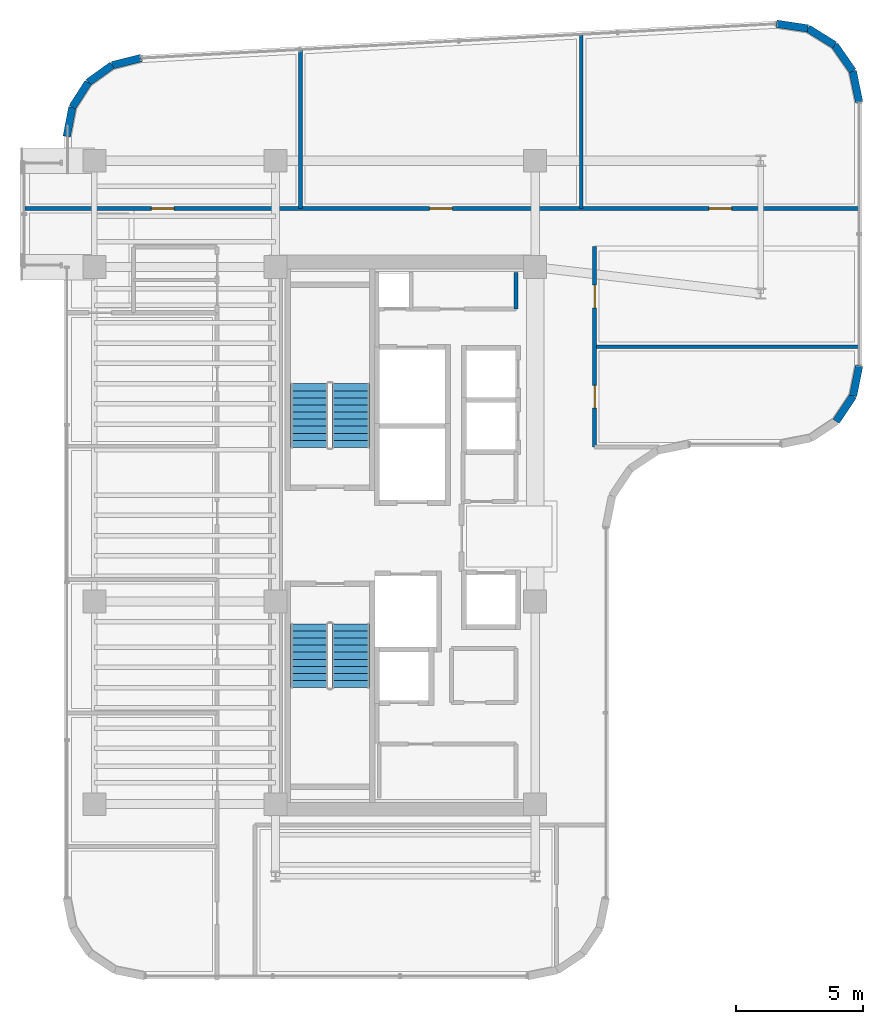
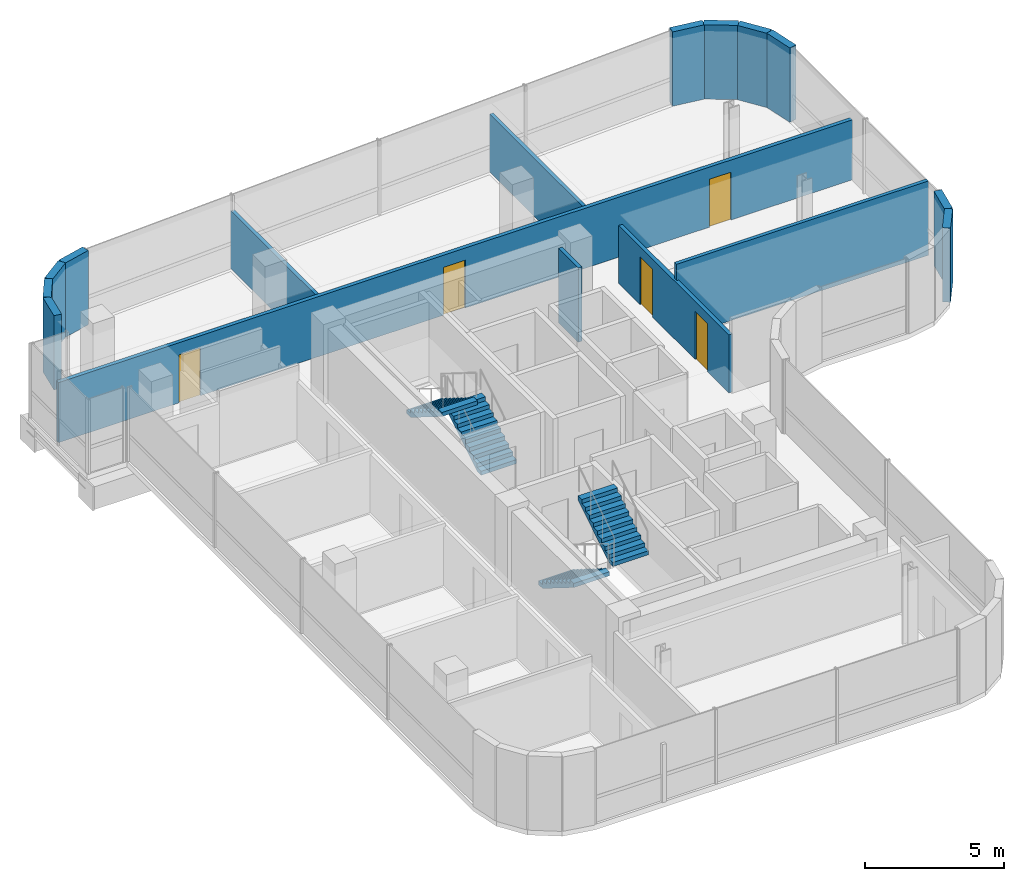
# One storey, part 19 of 21: 16 walls, 5 doors, 4 stair flights, 5 openings, 2 elements without a shape of their own.
"""IFC4 building model written with IfcOpenShell, lengths in metres."""

import ifcopenshell
import ifcopenshell.guid

model = None  # the IFC model being written
_history = None  # IfcOwnerHistory: only IFC2X3 demands one
_inside = {}  # id of a spatial element -> (the spatial element, [elements in it])
_under = {}  # id of a project, library or spatial element -> (it, [spatial elements below it])
_declared = {}  # id of a project -> (the project, [libraries it declares])
_typed = {}  # id of a type object -> (the type object, [elements of that type])
_made_of = {}  # id of a material, layer set ... -> (it, [elements and type objects made of it])


def new_model(schema):
    """Start an empty IFC model of exactly this schema.

    Asked for "IFC4X3", IfcOpenShell would pick the latest addendum, in which some entities
    have other attributes; the version numbers below select the first issue.
    IFC2X3 requires an IfcOwnerHistory on every rooted entity: one is made here for all.
    """
    global model, _history
    if schema == "IFC4X3":
        model = ifcopenshell.file(schema_version=(4, 3, 0, 0))
    else:
        model = ifcopenshell.file(schema=schema)
    _inside.clear()
    _under.clear()
    _declared.clear()
    _typed.clear()
    _made_of.clear()
    _history = None
    if model.schema == "IFC2X3":
        org = make("IfcOrganization", Name="unknown")
        user = make(
            "IfcPersonAndOrganization",
            ThePerson=make("IfcPerson", FamilyName="unknown"),
            TheOrganization=org,
        )
        app = make(
            "IfcApplication",
            ApplicationDeveloper=org,
            Version="unknown",
            ApplicationFullName="unknown",
            ApplicationIdentifier="unknown",
        )
        _history = make(
            "IfcOwnerHistory",
            OwningUser=user,
            OwningApplication=app,
            ChangeAction="ADDED",
            CreationDate=0,
        )
    return model


def make(cls, **values):
    """One entity of the class cls with the attributes given. An attribute that is None is left unset."""
    return model.create_entity(
        cls, **{name: value for name, value in values.items() if value is not None}
    )


def rooted(cls, **values):
    """An entity with a GlobalId (a new one), such as an element, a storey or a relation."""
    return make(cls, GlobalId=ifcopenshell.guid.new(), OwnerHistory=_history, **values)


def si_unit(unit_type, name, prefix=None):
    """IfcSIUnit, for example si_unit("LENGTHUNIT", "METRE", prefix="MILLI")."""
    return make("IfcSIUnit", UnitType=unit_type, Prefix=prefix, Name=name)


def assignment(units):
    """IfcUnitAssignment: the units of a project."""
    return None if units is None else make("IfcUnitAssignment", Units=units)


def point(xyz):
    """IfcCartesianPoint."""
    return None if xyz is None else make("IfcCartesianPoint", Coordinates=xyz)


def direction(xyz):
    """IfcDirection."""
    return None if xyz is None else make("IfcDirection", DirectionRatios=xyz)


def frame(location, z_axis=None, x_axis=None):
    """IfcAxis2Placement3D, a coordinate frame: its origin and axes. An axis left out is left unset."""
    return make(
        "IfcAxis2Placement3D",
        Location=point(location),
        Axis=direction(z_axis),
        RefDirection=direction(x_axis),
    )


def frame_2d(location, x_axis=None):
    """IfcAxis2Placement2D, a coordinate frame in the plane: its origin and x axis."""
    return make(
        "IfcAxis2Placement2D", Location=point(location), RefDirection=direction(x_axis)
    )


def origin():
    """The frame at (0, 0, 0) with its axes left unset."""
    return frame((0.0, 0.0, 0.0))


def place(relative_to, where):
    """IfcLocalPlacement: puts the frame where relative to a parent placement (None: the world)."""
    return make(
        "IfcLocalPlacement", PlacementRelTo=relative_to, RelativePlacement=where
    )


def context(
    kind, dimensions, precision=None, world=None, true_north=None, identifier=None
):
    """IfcGeometricRepresentationContext, for example the 3D "Model" context."""
    return make(
        "IfcGeometricRepresentationContext",
        ContextIdentifier=identifier,
        ContextType=kind,
        CoordinateSpaceDimension=dimensions,
        Precision=precision,
        WorldCoordinateSystem=world,
        TrueNorth=true_north,
    )


def subcontext(parent, identifier, kind, view, scale=None):
    """IfcGeometricRepresentationSubContext, for example "Body" below "Model"."""
    return make(
        "IfcGeometricRepresentationSubContext",
        ContextIdentifier=identifier,
        ContextType=kind,
        ParentContext=parent,
        TargetScale=scale,
        TargetView=view,
    )


def project(units=None, contexts=None):
    """IfcProject with its units and contexts."""
    return rooted(
        "IfcProject",
        Name="project",
        RepresentationContexts=contexts,
        UnitsInContext=assignment(units),
    )


def spatial(cls, under=None, at=None, **own):
    """A site, building, storey or space (cls), placed at a placement, below another one or the project."""
    s = rooted(cls, ObjectPlacement=at, **own)
    if under is not None:
        _under.setdefault(under.id(), (under, []))[1].append(s)
    return s


def polyline(points):
    """IfcPolyline through the points."""
    return make("IfcPolyline", Points=[point(p) for p in points])


def profile(cls, at=None, kind="AREA", **sizes):
    """A parametric profile (cls). Its sizes go by their IFC names, for example OverallWidth=200.0."""
    return make(cls, ProfileType=kind, Position=at, **sizes)


def rectangle(**sizes):
    """IfcRectangleProfileDef."""
    return profile("IfcRectangleProfileDef", **sizes)


def outline(outer, holes=None, kind="AREA"):
    """IfcArbitraryClosedProfileDef: a profile drawn as a closed curve; with holes, ...WithVoids."""
    if holes is None:
        return make("IfcArbitraryClosedProfileDef", ProfileType=kind, OuterCurve=outer)
    return make(
        "IfcArbitraryProfileDefWithVoids",
        ProfileType=kind,
        OuterCurve=outer,
        InnerCurves=holes,
    )


def extrude(swept, where, along, depth):
    """IfcExtrudedAreaSolid: the profile swept, set in the frame where, extruded along a direction by depth."""
    return make(
        "IfcExtrudedAreaSolid",
        SweptArea=swept,
        Position=where,
        ExtrudedDirection=direction(along),
        Depth=depth,
    )


def shape(context_of_items, identifier, shape_type, items):
    """IfcShapeRepresentation: the items that make up one representation, for example the "Body"."""
    return make(
        "IfcShapeRepresentation",
        ContextOfItems=context_of_items,
        RepresentationIdentifier=identifier,
        RepresentationType=shape_type,
        Items=items,
    )


def material(Name=None, Category=None):
    """IfcMaterial."""
    return make("IfcMaterial", Name=Name, Category=Category)


def layer(
    of_material, thickness, ventilated=None, Name=None, Category=None, Priority=None
):
    """IfcMaterialLayer: one layer of a wall or slab, of a material (None: an air gap)."""
    return make(
        "IfcMaterialLayer",
        Material=of_material,
        LayerThickness=thickness,
        IsVentilated=ventilated,
        Name=Name,
        Category=Category,
        Priority=Priority,
    )


def layer_set(layers, Name=None):
    """IfcMaterialLayerSet."""
    return make("IfcMaterialLayerSet", MaterialLayers=layers, LayerSetName=Name)


def made_of(thing, what):
    """Note that an element or type object is made of a material, layer set ...; save() writes the relation."""
    if what is not None:
        _made_of.setdefault(what.id(), (what, []))[1].append(thing)
    return thing


def type_object(cls, material=None, **own):
    """A type object (cls), such as IfcWallType, which elements share."""
    return made_of(rooted(cls, **own), material)


def element(
    cls,
    number,
    at=None,
    inside=None,
    cuts=None,
    type_object=None,
    material=None,
    context=None,
    identifier="Body",
    shape_type=None,
    held_by="IfcProductDefinitionShape",
    body=None,
    shapes=None,
    **own,
):
    """One element of the class cls, such as IfcWall. Its Tag is "e" and its number.

    at: its placement. inside: the storey or other place that contains it. cuts: it is an
    opening in that element (IfcRelVoidsElement). A single representation is given by context,
    identifier, shape_type and body (its items); several are given by shapes. held_by: the class
    of the entity that holds the representations. save() writes the other relations.
    """
    e = rooted(cls, Tag="e%d" % number, ObjectPlacement=at, **own)
    if body is not None:
        shapes = [shape(context, identifier, shape_type, body)]
    if shapes is not None:
        e.Representation = make(held_by, Representations=shapes)
    if inside is not None:
        _inside.setdefault(inside.id(), (inside, []))[1].append(e)
    if cuts is not None:
        rooted(
            "IfcRelVoidsElement", RelatingBuildingElement=cuts, RelatedOpeningElement=e
        )
    if type_object is not None:
        _typed.setdefault(type_object.id(), (type_object, []))[1].append(e)
    return made_of(e, material)


def fill(opening, filler):
    """IfcRelFillsElement: the door or window that sits in an opening."""
    return rooted(
        "IfcRelFillsElement",
        RelatingOpeningElement=opening,
        RelatedBuildingElement=filler,
    )


def aggregate(whole, parts):
    """IfcRelAggregates: a whole, such as a stair, and the parts it consists of."""
    return rooted("IfcRelAggregates", RelatingObject=whole, RelatedObjects=parts)


def save(model, path):
    """Write the relations noted so far, then the file.

    IfcRelAggregates (storeys below a building ...), IfcRelContainedInSpatialStructure (elements
    in a storey), IfcRelDefinesByType, IfcRelAssociatesMaterial and IfcRelDeclares: one each for
    every whole, place, type object, material and project.
    """
    for whole, parts in _under.values():
        aggregate(whole, parts)
    for where, things in _inside.values():
        rooted(
            "IfcRelContainedInSpatialStructure",
            RelatedElements=things,
            RelatingStructure=where,
        )
    for kind, things in _typed.values():
        rooted("IfcRelDefinesByType", RelatedObjects=things, RelatingType=kind)
    for what, things in _made_of.values():
        rooted("IfcRelAssociatesMaterial", RelatedObjects=things, RelatingMaterial=what)
    for by, libraries in _declared.values():
        rooted("IfcRelDeclares", RelatingContext=by, RelatedDefinitions=libraries)
    model.write(path)


model = new_model("IFC4")

# Units and contexts
model_context = context("Model", 3, precision=1e-05, world=origin(), true_north=direction((0.0, 1.0)))
body_context = subcontext(model_context, "Body", "Model", "MODEL_VIEW")
ifc_project = project(units=[si_unit("LENGTHUNIT", "METRE"), si_unit("AREAUNIT", "SQUARE_METRE"), si_unit("VOLUMEUNIT", "CUBIC_METRE"), si_unit("PLANEANGLEUNIT", "RADIAN"), si_unit("MASSUNIT", "GRAM", prefix="KILO")], contexts=[model_context])

# Site, building, storey
site_placement = place(None, origin())
site = spatial("IfcSite", under=ifc_project, at=site_placement, CompositionType="ELEMENT")
building_placement = place(site_placement, origin())
building = spatial("IfcBuilding", under=site, at=building_placement, Name="Valdorenza Pilgrim Sanctuary Tower", CompositionType="ELEMENT")
storey_placement = place(building_placement, frame((0.0, 0.0, 219.5)))
storey = spatial("IfcBuildingStorey", under=building, at=storey_placement, Name="L56", CompositionType="ELEMENT", Elevation=219.5)

# Wall
ifc_material_1 = material(Name="Acoustic twin-stud gypsum partition", Category="gypsum")
ifc_layer_1 = layer(ifc_material_1, 0.159912109375, Name="Acoustic twin-stud gypsum partition")
ifc_layer_set_1 = layer_set([ifc_layer_1], Name="Acoustic twin-stud gypsum partition")
wall_type_1 = type_object("IfcWallType", Name="WAL-COR-160", PredefinedType="PARTITIONING", material=ifc_layer_set_1)
wall_1_placement = place(storey_placement, frame((-13.14990234375, 8.949951171875, 0.0), z_axis=(0.0, 0.0, 1.0), x_axis=(0.0, 1.0, 0.0)))
element("IfcWall", 1, at=wall_1_placement, inside=storey, type_object=wall_type_1, Name="L56 Core A North Service East Wall", PredefinedType="PARTITIONING", context=body_context, shape_type="SweptSolid", body=[
    extrude(rectangle(XDim=1.429931640625, YDim=0.159912109375, at=frame_2d((0.71484375, 0.0))), origin(), (0.0, 0.0, 1.0), 3.260009765625),
])

# Wall, openings, doors
wall_2_placement = place(storey_placement, frame((-32.5400390625, 12.919921875, 0.0), z_axis=(0.0, 0.0, 1.0), x_axis=(1.0, 0.0, 0.0)))
wall_2 = element("IfcWall", 2, at=wall_2_placement, inside=storey, type_object=wall_type_1, Name="L56 North Corridor Wall", PredefinedType="PARTITIONING", context=body_context, shape_type="SweptSolid", body=[
    extrude(rectangle(XDim=32.929931640625, YDim=0.159912109375, at=frame_2d((16.46484375, 0.0))), origin(), (0.0, 0.0, 1.0), 2.634033203125),
])
opening_1_placement = place(wall_2_placement, frame((4.989990234375, 0.0, 0.0)))
opening_1 = element("IfcOpeningElement", 3, at=opening_1_placement, cuts=wall_2, Name="Opening DR-RM1", PredefinedType="OPENING", context=body_context, shape_type="SweptSolid", body=[
    extrude(rectangle(XDim=0.89990234375, YDim=2.10009765625, at=frame_2d((0.449951171875, 1.050048828125))), frame((0.0, 0.0947265625, 0.0), z_axis=(0.0, -1.0, 0.0), x_axis=(1.0, 0.0, 0.0)), (0.0, 0.0, 1.0), 0.189697265625),
])
opening_2_placement = place(wall_2_placement, frame((15.969970703125, 0.0, 0.0)))
opening_2 = element("IfcOpeningElement", 4, at=opening_2_placement, cuts=wall_2, Name="Opening DR-RM1", PredefinedType="OPENING", context=body_context, shape_type="SweptSolid", body=[
    extrude(rectangle(XDim=0.89990234375, YDim=2.10009765625, at=frame_2d((0.449951171875, 1.050048828125))), frame((0.0, 0.0947265625, 0.0), z_axis=(0.0, -1.0, 0.0), x_axis=(1.0, 0.0, 0.0)), (0.0, 0.0, 1.0), 0.189697265625),
])
opening_3_placement = place(wall_2_placement, frame((26.9951171875, 0.0, 0.0)))
opening_3 = element("IfcOpeningElement", 5, at=opening_3_placement, cuts=wall_2, Name="Opening DR-RM1", PredefinedType="OPENING", context=body_context, shape_type="SweptSolid", body=[
    extrude(rectangle(XDim=0.89990234375, YDim=2.10009765625, at=frame_2d((0.449951171875, 1.050048828125))), frame((0.0, 0.0947265625, 0.0), z_axis=(0.0, -1.0, 0.0), x_axis=(1.0, 0.0, 0.0)), (0.0, 0.0, 1.0), 0.189697265625),
])
ifc_material_2 = material(Name="Solid-core European oak timber", Category="wood")
door_type = type_object("IfcDoorType", Name="DR-ROOM-900", OperationType="NOTDEFINED", PredefinedType="DOOR", material=ifc_material_2)
door_1_placement = place(opening_1_placement, frame((0.89990234375, 0.0, 0.0), z_axis=(0.0, 0.0, 1.0), x_axis=(-1.0, 0.0, 0.0)))
door_1 = element("IfcDoor", 6, at=door_1_placement, inside=storey, type_object=door_type, Name="L56 Sanctuary Administration Office L56-N1 Door", OperationType="SINGLE_SWING_LEFT", OverallHeight=2.10009765625, OverallWidth=0.89990234375, PredefinedType="DOOR", context=body_context, shape_type="SweptSolid", body=[
    extrude(rectangle(XDim=0.89990234375, YDim=2.10009765625, at=frame_2d((0.449951171875, 1.050048828125))), frame((0.0, 0.02490234375, 0.0), z_axis=(0.0, -1.0, 0.0), x_axis=(1.0, 0.0, 0.0)), (0.0, 0.0, 1.0), 0.050048828125),
])
fill(opening_1, door_1)
door_2_placement = place(opening_2_placement, origin())
door_2 = element("IfcDoor", 7, at=door_2_placement, inside=storey, type_object=door_type, Name="L56 Sanctuary Administration Office L56-N2 Door", OperationType="SINGLE_SWING_RIGHT", OverallHeight=2.10009765625, OverallWidth=0.89990234375, PredefinedType="DOOR", context=body_context, shape_type="SweptSolid", body=[
    extrude(rectangle(XDim=0.89990234375, YDim=2.10009765625, at=frame_2d((0.449951171875, 1.050048828125))), frame((0.0, 0.02490234375, 0.0), z_axis=(0.0, -1.0, 0.0), x_axis=(1.0, 0.0, 0.0)), (0.0, 0.0, 1.0), 0.050048828125),
])
fill(opening_2, door_2)
door_3_placement = place(opening_3_placement, frame((0.89990234375, 0.0, 0.0), z_axis=(0.0, 0.0, 1.0), x_axis=(-1.0, 0.0, 0.0)))
door_3 = element("IfcDoor", 8, at=door_3_placement, inside=storey, type_object=door_type, Name="L56 Sanctuary Administration Office L56-N3 Door", OperationType="SINGLE_SWING_LEFT", OverallHeight=2.10009765625, OverallWidth=0.89990234375, PredefinedType="DOOR", context=body_context, shape_type="SweptSolid", body=[
    extrude(rectangle(XDim=0.89990234375, YDim=2.10009765625, at=frame_2d((0.449951171875, 1.050048828125))), frame((0.0, 0.02490234375, 0.0), z_axis=(0.0, -1.0, 0.0), x_axis=(1.0, 0.0, 0.0)), (0.0, 0.0, 1.0), 0.050048828125),
])
fill(opening_3, door_3)

wall_3_placement = place(storey_placement, frame((-10.050048828125, 3.5, 0.0), z_axis=(0.0, 0.0, 1.0), x_axis=(0.0, 1.0, 0.0)))
wall_3 = element("IfcWall", 9, at=wall_3_placement, inside=storey, type_object=wall_type_1, Name="L56 East Stub Corridor Wall", PredefinedType="PARTITIONING", context=body_context, shape_type="SweptSolid", body=[
    extrude(rectangle(XDim=7.919921875, YDim=0.159912109375, at=frame_2d((3.9599609375, 0.0))), origin(), (0.0, 0.0, 1.0), 2.5439453125),
])
opening_4_placement = place(wall_3_placement, frame((1.530029296875, 0.0, 0.0)))
opening_4 = element("IfcOpeningElement", 10, at=opening_4_placement, cuts=wall_3, Name="Opening DR-RM1", PredefinedType="OPENING", context=body_context, shape_type="SweptSolid", body=[
    extrude(rectangle(XDim=0.89990234375, YDim=2.10009765625, at=frame_2d((0.449951171875, 1.050048828125))), frame((0.0, 0.0947265625, 0.0), z_axis=(0.0, -1.0, 0.0), x_axis=(1.0, 0.0, 0.0)), (0.0, 0.0, 1.0), 0.189697265625),
])
opening_5_placement = place(wall_3_placement, frame((5.489990234375, 0.0, 0.0)))
opening_5 = element("IfcOpeningElement", 11, at=opening_5_placement, cuts=wall_3, Name="Opening DR-RM1", PredefinedType="OPENING", context=body_context, shape_type="SweptSolid", body=[
    extrude(rectangle(XDim=0.89990234375, YDim=2.10009765625, at=frame_2d((0.449951171875, 1.050048828125))), frame((0.0, 0.0947265625, 0.0), z_axis=(0.0, -1.0, 0.0), x_axis=(1.0, 0.0, 0.0)), (0.0, 0.0, 1.0), 0.189697265625),
])
door_4_placement = place(opening_4_placement, origin())
door_4 = element("IfcDoor", 12, at=door_4_placement, inside=storey, type_object=door_type, Name="L56 Pilgrim Scholar Office L56-E1 Door", OperationType="SINGLE_SWING_RIGHT", OverallHeight=2.10009765625, OverallWidth=0.89990234375, PredefinedType="DOOR", context=body_context, shape_type="SweptSolid", body=[
    extrude(rectangle(XDim=0.89990234375, YDim=2.10009765625, at=frame_2d((0.449951171875, 1.050048828125))), frame((0.0, 0.02490234375, 0.0), z_axis=(0.0, -1.0, 0.0), x_axis=(1.0, 0.0, 0.0)), (0.0, 0.0, 1.0), 0.050048828125),
])
fill(opening_4, door_4)
door_5_placement = place(opening_5_placement, frame((0.89990234375, 0.0, 0.0), z_axis=(0.0, 0.0, 1.0), x_axis=(-1.0, 0.0, 0.0)))
door_5 = element("IfcDoor", 13, at=door_5_placement, inside=storey, type_object=door_type, Name="L56 Pilgrim Scholar Office L56-E2 Door", OperationType="SINGLE_SWING_LEFT", OverallHeight=2.10009765625, OverallWidth=0.89990234375, PredefinedType="DOOR", context=body_context, shape_type="SweptSolid", body=[
    extrude(rectangle(XDim=0.89990234375, YDim=2.10009765625, at=frame_2d((0.449951171875, 1.050048828125))), frame((0.0, 0.02490234375, 0.0), z_axis=(0.0, -1.0, 0.0), x_axis=(1.0, 0.0, 0.0)), (0.0, 0.0, 1.0), 0.050048828125),
])
fill(opening_5, door_5)

# Walls
ifc_material_3 = material(Name="Honed travertine limestone", Category="masonry")
ifc_layer_2 = layer(ifc_material_3, 0.300048828125, Name="Honed travertine limestone")
ifc_layer_set_2 = layer_set([ifc_layer_2], Name="Honed travertine limestone")
wall_type_2 = type_object("IfcWallType", Name="WAL-EXT-300", PredefinedType="SOLIDWALL", material=ifc_layer_set_2)
wall_4_placement = place(storey_placement, frame((-30.889892578125, 15.757568359375, 0.0), z_axis=(0.0, 0.0, 1.0), x_axis=(0.18831542659, 0.982108598938, 0.0)))
element("IfcWall", 14, at=wall_4_placement, inside=storey, type_object=wall_type_2, Name="L56 Rounded Wind-Corner Stone Pier 2", PredefinedType="SOLIDWALL", context=body_context, shape_type="SweptSolid", body=[
    extrude(rectangle(XDim=1.174560546875, YDim=0.300048828125, at=frame_2d((0.58740234375, 0.0))), origin(), (0.0, 0.0, 1.0), 3.260009765625),
])
wall_5_placement = place(storey_placement, frame((-30.668701171875, 16.9111328125, 0.0), z_axis=(0.0, 0.0, 1.0), x_axis=(0.538678781902, 0.84251122837, 0.0)))
element("IfcWall", 15, at=wall_5_placement, inside=storey, type_object=wall_type_2, Name="L56 Rounded Wind-Corner Stone Pier 3", PredefinedType="SOLIDWALL", context=body_context, shape_type="SweptSolid", body=[
    extrude(rectangle(XDim=1.164306640625, YDim=0.300048828125, at=frame_2d((0.58203125, 0.0))), origin(), (0.0, 0.0, 1.0), 3.260009765625),
])
wall_6_placement = place(storey_placement, frame((-30.04150390625, 17.89208984375, 0.0), z_axis=(0.0, 0.0, 1.0), x_axis=(0.812313539683, 0.583220981487, 0.0)))
element("IfcWall", 16, at=wall_6_placement, inside=storey, type_object=wall_type_2, Name="L56 Rounded Wind-Corner Stone Pier 4", PredefinedType="SOLIDWALL", context=body_context, shape_type="SweptSolid", body=[
    extrude(rectangle(XDim=1.163818359375, YDim=0.300048828125, at=frame_2d((0.58203125, 0.0))), origin(), (0.0, 0.0, 1.0), 3.260009765625),
])
wall_7_placement = place(storey_placement, frame((-29.09619140625, 18.57080078125, 0.0), z_axis=(0.0, 0.0, 1.0), x_axis=(0.97050812798, 0.241068400098, 0.0)))
element("IfcWall", 17, at=wall_7_placement, inside=storey, type_object=wall_type_2, Name="L56 Rounded Wind-Corner Stone Pier 5", PredefinedType="SOLIDWALL", context=body_context, shape_type="SweptSolid", body=[
    extrude(rectangle(XDim=1.1748046875, YDim=0.300048828125, at=frame_2d((0.58740234375, 0.0))), origin(), (0.0, 0.0, 1.0), 3.260009765625),
])
wall_8_placement = place(storey_placement, frame((-2.877685546875, 20.20751953125, 0.0), z_axis=(0.0, 0.0, 1.0), x_axis=(0.988902138571, -0.148568369208, 0.0)))
element("IfcWall", 18, at=wall_8_placement, inside=storey, type_object=wall_type_2, Name="L56 Rounded Wind-Corner Stone Pier 7", PredefinedType="SOLIDWALL", context=body_context, shape_type="SweptSolid", body=[
    extrude(rectangle(XDim=1.257080078125, YDim=0.300048828125, at=frame_2d((0.62841796875, 0.0))), origin(), (0.0, 0.0, 1.0), 3.260009765625),
])
wall_9_placement = place(storey_placement, frame((-1.634521484375, 20.020751953125, 0.0), z_axis=(0.0, 0.0, 1.0), x_axis=(0.849646224094, -0.52735310171, 0.0)))
element("IfcWall", 19, at=wall_9_placement, inside=storey, type_object=wall_type_2, Name="L56 Rounded Wind-Corner Stone Pier 8", PredefinedType="SOLIDWALL", context=body_context, shape_type="SweptSolid", body=[
    extrude(rectangle(XDim=1.245361328125, YDim=0.300048828125, at=frame_2d((0.62255859375, 0.0))), origin(), (0.0, 0.0, 1.0), 3.260009765625),
])
wall_10_placement = place(storey_placement, frame((-0.576416015625, 19.364013671875, 0.0), z_axis=(0.0, 0.0, 1.0), x_axis=(0.572304219931, -0.820041389107, 0.0)))
element("IfcWall", 20, at=wall_10_placement, inside=storey, type_object=wall_type_2, Name="L56 Rounded Wind-Corner Stone Pier 9", PredefinedType="SOLIDWALL", context=body_context, shape_type="SweptSolid", body=[
    extrude(rectangle(XDim=1.24560546875, YDim=0.300048828125, at=frame_2d((0.622802734375, 0.0))), origin(), (0.0, 0.0, 1.0), 3.260009765625),
])
wall_11_placement = place(storey_placement, frame((0.136474609375, 18.342529296875, 0.0), z_axis=(0.0, 0.0, 1.0), x_axis=(0.201603599025, -0.979467196419, 0.0)))
element("IfcWall", 21, at=wall_11_placement, inside=storey, type_object=wall_type_2, Name="L56 Rounded Wind-Corner Stone Pier 10", PredefinedType="SOLIDWALL", context=body_context, shape_type="SweptSolid", body=[
    extrude(rectangle(XDim=1.257080078125, YDim=0.300048828125, at=frame_2d((0.62841796875, 0.0))), origin(), (0.0, 0.0, 1.0), 3.260009765625),
])
wall_12_placement = place(storey_placement, frame((0.389892578125, 6.710693359375, 0.0), z_axis=(0.0, 0.0, 1.0), x_axis=(-0.194996050505, -0.980804027463, 0.0)))
element("IfcWall", 22, at=wall_12_placement, inside=storey, type_object=wall_type_2, Name="L56 Rounded Wind-Corner Stone Pier 12", PredefinedType="SOLIDWALL", context=body_context, shape_type="SweptSolid", body=[
    extrude(rectangle(XDim=1.2158203125, YDim=0.300048828125, at=frame_2d((0.60791015625, 0.0))), origin(), (0.0, 0.0, 1.0), 3.260009765625),
])
wall_13_placement = place(storey_placement, frame((0.15283203125, 5.518310546875, 0.0), z_axis=(0.0, 0.0, 1.0), x_axis=(-0.555635100982, -0.831426265255, 0.0)))
element("IfcWall", 23, at=wall_13_placement, inside=storey, type_object=wall_type_2, Name="L56 Rounded Wind-Corner Stone Pier 13", PredefinedType="SOLIDWALL", context=body_context, shape_type="SweptSolid", body=[
    extrude(rectangle(XDim=1.204833984375, YDim=0.300048828125, at=frame_2d((0.6025390625, 0.0))), origin(), (0.0, 0.0, 1.0), 3.260009765625),
])
ifc_layer_3 = layer(ifc_material_1, 0.14990234375, Name="Acoustic twin-stud gypsum partition")
ifc_layer_set_3 = layer_set([ifc_layer_3], Name="Acoustic twin-stud gypsum partition")
wall_type_3 = type_object("IfcWallType", Name="WAL-UNT-150", PredefinedType="PARTITIONING", material=ifc_layer_set_3)
wall_14_placement = place(storey_placement, frame((-21.659912109375, 12.919921875, 0.0), z_axis=(0.0, 0.0, 1.0), x_axis=(0.0, 1.0, 0.0)))
element("IfcWall", 24, at=wall_14_placement, inside=storey, type_object=wall_type_3, Name="L56 Sanctuary Administration Office L56-N2 Demising Wall", PredefinedType="PARTITIONING", context=body_context, shape_type="SweptSolid", body=[
    extrude(rectangle(XDim=6.27392578125, YDim=0.14990234375, at=frame_2d((3.136962890625, 0.0))), origin(), (0.0, 0.0, 1.0), 2.5439453125),
])
wall_15_placement = place(storey_placement, frame((-10.580078125, 12.919921875, 0.0), z_axis=(0.0, 0.0, 1.0), x_axis=(0.0, 1.0, 0.0)))
element("IfcWall", 25, at=wall_15_placement, inside=storey, type_object=wall_type_3, Name="L56 Sanctuary Administration Office L56-N3 Demising Wall", PredefinedType="PARTITIONING", context=body_context, shape_type="SweptSolid", body=[
    extrude(rectangle(XDim=6.8720703125, YDim=0.14990234375, at=frame_2d((3.43603515625, 0.0))), origin(), (0.0, 0.0, 1.0), 2.5439453125),
])
wall_16_placement = place(storey_placement, frame((-10.050048828125, 7.4599609375, 0.0), z_axis=(0.0, 0.0, 1.0), x_axis=(1.0, 0.0, 0.0)))
element("IfcWall", 26, at=wall_16_placement, inside=storey, type_object=wall_type_3, Name="L56 Pilgrim Scholar Office L56-E2 Demising Wall", PredefinedType="PARTITIONING", context=body_context, shape_type="SweptSolid", body=[
    extrude(rectangle(XDim=10.43994140625, YDim=0.14990234375, at=frame_2d((5.219970703125, 0.0))), origin(), (0.0, 0.0, 1.0), 3.260009765625),
])

# Stair, stair flights
ifc_material_4 = material(Name="Concrete C40/50", Category="concrete")
stair_type = type_object("IfcStairType", Name="STR-DOG-CORE", PredefinedType="HALF_TURN_STAIR", material=ifc_material_4)
stair_1_placement = place(storey_placement, origin())
stair_1 = element("IfcStair", 27, at=stair_1_placement, inside=storey, type_object=stair_type, Name="L56 ST-A1", PredefinedType="HALF_TURN_STAIR")
stair_flight_type = type_object("IfcStairFlightType", Name="STF-RC-1400", PredefinedType="STRAIGHT", material=ifc_material_4)
stair_flight_1_placement = place(storey_placement, frame((-19.679931640625, 3.47998046875, 0.0), z_axis=(0.0, 0.0, 1.0), x_axis=(0.0, 1.0, 0.0)))
stair_flight_1 = element("IfcStairFlight", 28, at=stair_flight_1_placement, type_object=stair_flight_type, Name="ST-A1 flight 1", NumberOfRisers=10, NumberOfTreads=9, PredefinedType="STRAIGHT", RiserHeight=0.175, TreadLength=0.28, context=body_context, shape_type="SweptSolid", body=[
    extrude(outline(polyline([(0.0, 0.0), (0.0, 0.175048828125), (0.280029296875, 0.175048828125), (0.280029296875, 0.35009765625), (0.56005859375, 0.35009765625), (0.56005859375, 0.52490234375), (0.840087890625, 0.52490234375), (0.840087890625, 0.699951171875), (1.1201171875, 0.699951171875), (1.1201171875, 0.875), (1.39990234375, 0.875), (1.39990234375, 1.050048828125), (1.679931640625, 1.050048828125), (1.679931640625, 1.22509765625), (1.9599609375, 1.22509765625), (1.9599609375, 1.39990234375), (2.239990234375, 1.39990234375), (2.239990234375, 1.574951171875), (2.52001953125, 1.574951171875), (2.52001953125, 1.75), (2.52001953125, 1.398193359375), (0.28271484375, 0.0), (0.0, 0.0)])), frame((0.0, 0.739990234375, 0.0), z_axis=(0.0, -1.0, 0.0), x_axis=(1.0, 0.0, 0.0)), (0.0, 0.0, 1.0), 1.47998046875),
])
stair_flight_2_placement = place(storey_placement, frame((-21.31005859375, 6.0, 1.75), z_axis=(0.0, 0.0, 1.0), x_axis=(0.0, -1.0, 0.0)))
stair_flight_2 = element("IfcStairFlight", 29, at=stair_flight_2_placement, type_object=stair_flight_type, Name="ST-A1 flight 2", NumberOfRisers=10, NumberOfTreads=9, PredefinedType="STRAIGHT", RiserHeight=0.175, TreadLength=0.28, context=body_context, shape_type="SweptSolid", body=[
    extrude(outline(polyline([(0.0, 0.0), (0.0, 0.175048828125), (0.280029296875, 0.175048828125), (0.280029296875, 0.35009765625), (0.56005859375, 0.35009765625), (0.56005859375, 0.52490234375), (0.840087890625, 0.52490234375), (0.840087890625, 0.699951171875), (1.1201171875, 0.699951171875), (1.1201171875, 0.875), (1.39990234375, 0.875), (1.39990234375, 1.050048828125), (1.679931640625, 1.050048828125), (1.679931640625, 1.22509765625), (1.9599609375, 1.22509765625), (1.9599609375, 1.39990234375), (2.239990234375, 1.39990234375), (2.239990234375, 1.574951171875), (2.52001953125, 1.574951171875), (2.52001953125, 1.75), (2.52001953125, 1.398193359375), (0.28271484375, 0.0), (0.0, 0.0)])), frame((0.0, 0.739990234375, 0.0), z_axis=(0.0, -1.0, 0.0), x_axis=(1.0, 0.0, 0.0)), (0.0, 0.0, 1.0), 1.47998046875),
])
aggregate(stair_1, [stair_flight_1, stair_flight_2])

stair_2_placement = place(storey_placement, origin())
stair_2 = element("IfcStair", 30, at=stair_2_placement, inside=storey, type_object=stair_type, Name="L56 ST-A2", PredefinedType="HALF_TURN_STAIR")
stair_flight_3_placement = place(storey_placement, frame((-21.31005859375, -3.47998046875, 0.0), z_axis=(0.0, 0.0, 1.0), x_axis=(0.0, -1.0, 0.0)))
stair_flight_3 = element("IfcStairFlight", 31, at=stair_flight_3_placement, type_object=stair_flight_type, Name="ST-A2 flight 1", NumberOfRisers=10, NumberOfTreads=9, PredefinedType="STRAIGHT", RiserHeight=0.175, TreadLength=0.28, context=body_context, shape_type="SweptSolid", body=[
    extrude(outline(polyline([(0.0, 0.0), (0.0, 0.175048828125), (0.280029296875, 0.175048828125), (0.280029296875, 0.35009765625), (0.56005859375, 0.35009765625), (0.56005859375, 0.52490234375), (0.840087890625, 0.52490234375), (0.840087890625, 0.699951171875), (1.1201171875, 0.699951171875), (1.1201171875, 0.875), (1.39990234375, 0.875), (1.39990234375, 1.050048828125), (1.679931640625, 1.050048828125), (1.679931640625, 1.22509765625), (1.9599609375, 1.22509765625), (1.9599609375, 1.39990234375), (2.239990234375, 1.39990234375), (2.239990234375, 1.574951171875), (2.52001953125, 1.574951171875), (2.52001953125, 1.75), (2.52001953125, 1.398193359375), (0.28271484375, 0.0), (0.0, 0.0)])), frame((0.0, 0.739990234375, 0.0), z_axis=(0.0, -1.0, 0.0), x_axis=(1.0, 0.0, 0.0)), (0.0, 0.0, 1.0), 1.47998046875),
])
stair_flight_4_placement = place(storey_placement, frame((-19.679931640625, -6.0, 1.75), z_axis=(0.0, 0.0, 1.0), x_axis=(0.0, 1.0, 0.0)))
stair_flight_4 = element("IfcStairFlight", 32, at=stair_flight_4_placement, type_object=stair_flight_type, Name="ST-A2 flight 2", NumberOfRisers=10, NumberOfTreads=9, PredefinedType="STRAIGHT", RiserHeight=0.175, TreadLength=0.28, context=body_context, shape_type="SweptSolid", body=[
    extrude(outline(polyline([(0.0, 0.0), (0.0, 0.175048828125), (0.280029296875, 0.175048828125), (0.280029296875, 0.35009765625), (0.56005859375, 0.35009765625), (0.56005859375, 0.52490234375), (0.840087890625, 0.52490234375), (0.840087890625, 0.699951171875), (1.1201171875, 0.699951171875), (1.1201171875, 0.875), (1.39990234375, 0.875), (1.39990234375, 1.050048828125), (1.679931640625, 1.050048828125), (1.679931640625, 1.22509765625), (1.9599609375, 1.22509765625), (1.9599609375, 1.39990234375), (2.239990234375, 1.39990234375), (2.239990234375, 1.574951171875), (2.52001953125, 1.574951171875), (2.52001953125, 1.75), (2.52001953125, 1.398193359375), (0.28271484375, 0.0), (0.0, 0.0)])), frame((0.0, 0.739990234375, 0.0), z_axis=(0.0, -1.0, 0.0), x_axis=(1.0, 0.0, 0.0)), (0.0, 0.0, 1.0), 1.47998046875),
])
aggregate(stair_2, [stair_flight_3, stair_flight_4])

save(model, "model.ifc")
